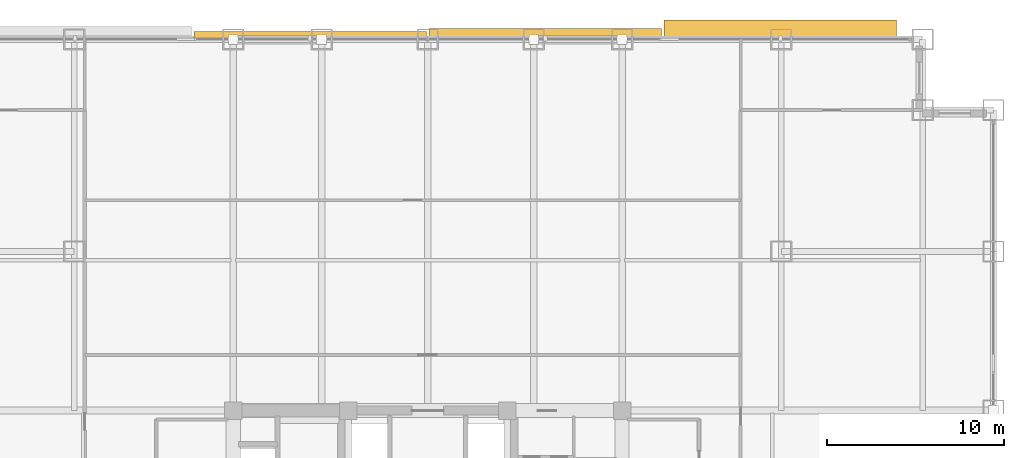
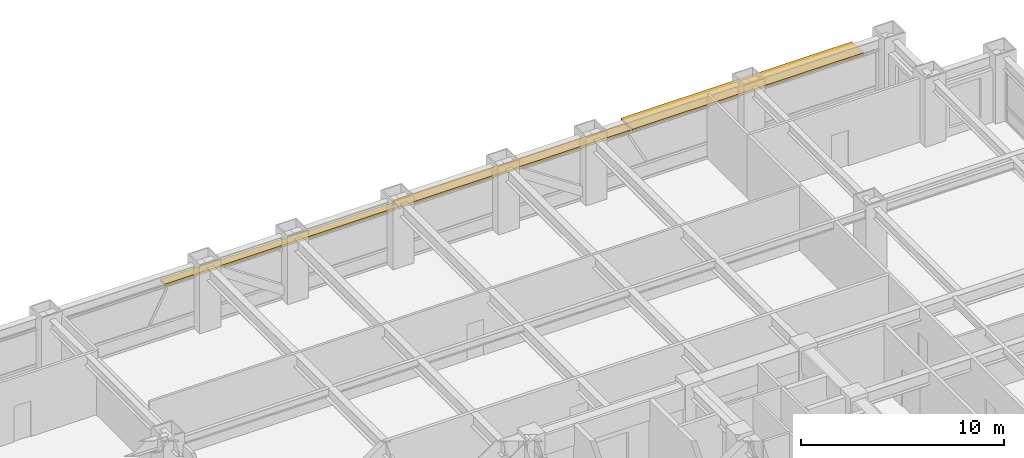
# One storey, part 32 of 32: 3 shading devices.
"""IFC4 building model written with IfcOpenShell, lengths in metres."""

import ifcopenshell
import ifcopenshell.guid

model = None  # the IFC model being written
_history = None  # IfcOwnerHistory: only IFC2X3 demands one
_inside = {}  # id of a spatial element -> (the spatial element, [elements in it])
_under = {}  # id of a project, library or spatial element -> (it, [spatial elements below it])
_declared = {}  # id of a project -> (the project, [libraries it declares])
_typed = {}  # id of a type object -> (the type object, [elements of that type])
_made_of = {}  # id of a material, layer set ... -> (it, [elements and type objects made of it])


def new_model(schema):
    """Start an empty IFC model of exactly this schema.

    Asked for "IFC4X3", IfcOpenShell would pick the latest addendum, in which some entities
    have other attributes; the version numbers below select the first issue.
    IFC2X3 requires an IfcOwnerHistory on every rooted entity: one is made here for all.
    """
    global model, _history
    if schema == "IFC4X3":
        model = ifcopenshell.file(schema_version=(4, 3, 0, 0))
    else:
        model = ifcopenshell.file(schema=schema)
    _inside.clear()
    _under.clear()
    _declared.clear()
    _typed.clear()
    _made_of.clear()
    _history = None
    if model.schema == "IFC2X3":
        org = make("IfcOrganization", Name="unknown")
        user = make(
            "IfcPersonAndOrganization",
            ThePerson=make("IfcPerson", FamilyName="unknown"),
            TheOrganization=org,
        )
        app = make(
            "IfcApplication",
            ApplicationDeveloper=org,
            Version="unknown",
            ApplicationFullName="unknown",
            ApplicationIdentifier="unknown",
        )
        _history = make(
            "IfcOwnerHistory",
            OwningUser=user,
            OwningApplication=app,
            ChangeAction="ADDED",
            CreationDate=0,
        )
    return model


def make(cls, **values):
    """One entity of the class cls with the attributes given. An attribute that is None is left unset."""
    return model.create_entity(
        cls, **{name: value for name, value in values.items() if value is not None}
    )


def rooted(cls, **values):
    """An entity with a GlobalId (a new one), such as an element, a storey or a relation."""
    return make(cls, GlobalId=ifcopenshell.guid.new(), OwnerHistory=_history, **values)


def si_unit(unit_type, name, prefix=None):
    """IfcSIUnit, for example si_unit("LENGTHUNIT", "METRE", prefix="MILLI")."""
    return make("IfcSIUnit", UnitType=unit_type, Prefix=prefix, Name=name)


def assignment(units):
    """IfcUnitAssignment: the units of a project."""
    return None if units is None else make("IfcUnitAssignment", Units=units)


def point(xyz):
    """IfcCartesianPoint."""
    return None if xyz is None else make("IfcCartesianPoint", Coordinates=xyz)


def direction(xyz):
    """IfcDirection."""
    return None if xyz is None else make("IfcDirection", DirectionRatios=xyz)


def frame(location, z_axis=None, x_axis=None):
    """IfcAxis2Placement3D, a coordinate frame: its origin and axes. An axis left out is left unset."""
    return make(
        "IfcAxis2Placement3D",
        Location=point(location),
        Axis=direction(z_axis),
        RefDirection=direction(x_axis),
    )


def frame_2d(location, x_axis=None):
    """IfcAxis2Placement2D, a coordinate frame in the plane: its origin and x axis."""
    return make(
        "IfcAxis2Placement2D", Location=point(location), RefDirection=direction(x_axis)
    )


def origin():
    """The frame at (0, 0, 0) with its axes left unset."""
    return frame((0.0, 0.0, 0.0))


def origin_2d():
    """The frame at (0, 0) in the plane with its x axis left unset."""
    return frame_2d((0.0, 0.0))


def place(relative_to, where):
    """IfcLocalPlacement: puts the frame where relative to a parent placement (None: the world)."""
    return make(
        "IfcLocalPlacement", PlacementRelTo=relative_to, RelativePlacement=where
    )


def context(
    kind, dimensions, precision=None, world=None, true_north=None, identifier=None
):
    """IfcGeometricRepresentationContext, for example the 3D "Model" context."""
    return make(
        "IfcGeometricRepresentationContext",
        ContextIdentifier=identifier,
        ContextType=kind,
        CoordinateSpaceDimension=dimensions,
        Precision=precision,
        WorldCoordinateSystem=world,
        TrueNorth=true_north,
    )


def subcontext(parent, identifier, kind, view, scale=None):
    """IfcGeometricRepresentationSubContext, for example "Body" below "Model"."""
    return make(
        "IfcGeometricRepresentationSubContext",
        ContextIdentifier=identifier,
        ContextType=kind,
        ParentContext=parent,
        TargetScale=scale,
        TargetView=view,
    )


def project(units=None, contexts=None):
    """IfcProject with its units and contexts."""
    return rooted(
        "IfcProject",
        Name="project",
        RepresentationContexts=contexts,
        UnitsInContext=assignment(units),
    )


def spatial(cls, under=None, at=None, **own):
    """A site, building, storey or space (cls), placed at a placement, below another one or the project."""
    s = rooted(cls, ObjectPlacement=at, **own)
    if under is not None:
        _under.setdefault(under.id(), (under, []))[1].append(s)
    return s


def profile(cls, at=None, kind="AREA", **sizes):
    """A parametric profile (cls). Its sizes go by their IFC names, for example OverallWidth=200.0."""
    return make(cls, ProfileType=kind, Position=at, **sizes)


def rectangle(**sizes):
    """IfcRectangleProfileDef."""
    return profile("IfcRectangleProfileDef", **sizes)


def extrude(swept, where, along, depth):
    """IfcExtrudedAreaSolid: the profile swept, set in the frame where, extruded along a direction by depth."""
    return make(
        "IfcExtrudedAreaSolid",
        SweptArea=swept,
        Position=where,
        ExtrudedDirection=direction(along),
        Depth=depth,
    )


def shape(context_of_items, identifier, shape_type, items):
    """IfcShapeRepresentation: the items that make up one representation, for example the "Body"."""
    return make(
        "IfcShapeRepresentation",
        ContextOfItems=context_of_items,
        RepresentationIdentifier=identifier,
        RepresentationType=shape_type,
        Items=items,
    )


def source(mapping_origin, context_of_items, identifier, shape_type, items):
    """IfcRepresentationMap: a shape defined once, which mapped items show again and again."""
    return make(
        "IfcRepresentationMap",
        MappingOrigin=mapping_origin,
        MappedRepresentation=shape(context_of_items, identifier, shape_type, items),
    )


def transform(
    local_origin,
    x_axis=None,
    y_axis=None,
    z_axis=None,
    scale=None,
    scale2=None,
    scale3=None,
    uniform=True,
):
    """IfcCartesianTransformationOperator3D, or its non-uniform kind. x_axis, y_axis, z_axis: its Axis1, 2, 3."""
    if uniform:
        return make(
            "IfcCartesianTransformationOperator3D",
            Axis1=direction(x_axis),
            Axis2=direction(y_axis),
            LocalOrigin=point(local_origin),
            Scale=scale,
            Axis3=direction(z_axis),
        )
    return make(
        "IfcCartesianTransformationOperator3DnonUniform",
        Axis1=direction(x_axis),
        Axis2=direction(y_axis),
        LocalOrigin=point(local_origin),
        Scale=scale,
        Axis3=direction(z_axis),
        Scale2=scale2,
        Scale3=scale3,
    )


def mapped(mapping_source, mapping_target):
    """IfcMappedItem: shows the shape of a source again, moved by a transform."""
    return make(
        "IfcMappedItem", MappingSource=mapping_source, MappingTarget=mapping_target
    )


def material(Name=None, Category=None):
    """IfcMaterial."""
    return make("IfcMaterial", Name=Name, Category=Category)


def layer(
    of_material, thickness, ventilated=None, Name=None, Category=None, Priority=None
):
    """IfcMaterialLayer: one layer of a wall or slab, of a material (None: an air gap)."""
    return make(
        "IfcMaterialLayer",
        Material=of_material,
        LayerThickness=thickness,
        IsVentilated=ventilated,
        Name=Name,
        Category=Category,
        Priority=Priority,
    )


def layer_set(layers, Name=None):
    """IfcMaterialLayerSet."""
    return make("IfcMaterialLayerSet", MaterialLayers=layers, LayerSetName=Name)


def made_of(thing, what):
    """Note that an element or type object is made of a material, layer set ...; save() writes the relation."""
    if what is not None:
        _made_of.setdefault(what.id(), (what, []))[1].append(thing)
    return thing


def type_object(cls, material=None, **own):
    """A type object (cls), such as IfcWallType, which elements share."""
    return made_of(rooted(cls, **own), material)


def element(
    cls,
    number,
    at=None,
    inside=None,
    cuts=None,
    type_object=None,
    material=None,
    context=None,
    identifier="Body",
    shape_type=None,
    held_by="IfcProductDefinitionShape",
    body=None,
    shapes=None,
    **own,
):
    """One element of the class cls, such as IfcWall. Its Tag is "e" and its number.

    at: its placement. inside: the storey or other place that contains it. cuts: it is an
    opening in that element (IfcRelVoidsElement). A single representation is given by context,
    identifier, shape_type and body (its items); several are given by shapes. held_by: the class
    of the entity that holds the representations. save() writes the other relations.
    """
    e = rooted(cls, Tag="e%d" % number, ObjectPlacement=at, **own)
    if body is not None:
        shapes = [shape(context, identifier, shape_type, body)]
    if shapes is not None:
        e.Representation = make(held_by, Representations=shapes)
    if inside is not None:
        _inside.setdefault(inside.id(), (inside, []))[1].append(e)
    if cuts is not None:
        rooted(
            "IfcRelVoidsElement", RelatingBuildingElement=cuts, RelatedOpeningElement=e
        )
    if type_object is not None:
        _typed.setdefault(type_object.id(), (type_object, []))[1].append(e)
    return made_of(e, material)


def aggregate(whole, parts):
    """IfcRelAggregates: a whole, such as a stair, and the parts it consists of."""
    return rooted("IfcRelAggregates", RelatingObject=whole, RelatedObjects=parts)


def save(model, path):
    """Write the relations noted so far, then the file.

    IfcRelAggregates (storeys below a building ...), IfcRelContainedInSpatialStructure (elements
    in a storey), IfcRelDefinesByType, IfcRelAssociatesMaterial and IfcRelDeclares: one each for
    every whole, place, type object, material and project.
    """
    for whole, parts in _under.values():
        aggregate(whole, parts)
    for where, things in _inside.values():
        rooted(
            "IfcRelContainedInSpatialStructure",
            RelatedElements=things,
            RelatingStructure=where,
        )
    for kind, things in _typed.values():
        rooted("IfcRelDefinesByType", RelatedObjects=things, RelatingType=kind)
    for what, things in _made_of.values():
        rooted("IfcRelAssociatesMaterial", RelatedObjects=things, RelatingMaterial=what)
    for by, libraries in _declared.values():
        rooted("IfcRelDeclares", RelatingContext=by, RelatedDefinitions=libraries)
    model.write(path)


model = new_model("IFC4")

# Units and contexts
model_context = context("Model", 3, precision=1e-05, world=origin(), true_north=direction((0.0, 1.0)))
body_context = subcontext(model_context, "Body", "Model", "MODEL_VIEW")
ifc_project = project(units=[si_unit("LENGTHUNIT", "METRE"), si_unit("AREAUNIT", "SQUARE_METRE"), si_unit("VOLUMEUNIT", "CUBIC_METRE"), si_unit("PLANEANGLEUNIT", "RADIAN"), si_unit("MASSUNIT", "GRAM", prefix="KILO")], contexts=[model_context])

# Site, building, storey
site_placement = place(None, origin())
site = spatial("IfcSite", under=ifc_project, at=site_placement, CompositionType="ELEMENT")
building_placement = place(site_placement, origin())
building = spatial("IfcBuilding", under=site, at=building_placement, Name="Khorayat Bourse Tower", CompositionType="ELEMENT")
storey_placement = place(building_placement, frame((0.0, 0.0, 91.39990234375)))
storey = spatial("IfcBuildingStorey", under=building, at=storey_placement, Name="L20", CompositionType="ELEMENT", Elevation=91.39990234375)

# Shading devices
ifc_material = material(Name="Precast concrete C45/55", Category="concrete")
ifc_layer = layer(ifc_material, 0.139892578125)
ifc_layer_set = layer_set([ifc_layer], Name="Precast concrete C45/55")
shading_device_type = type_object("IfcShadingDeviceType", Name="SHD-WAVE-TRAY-B", PredefinedType="USERDEFINED", material=ifc_layer_set)
shared_shape_1 = source(origin(), body_context, "Body", "SweptSolid", [
    extrude(rectangle(XDim=13.159912109375, YDim=0.45458984375, at=origin_2d()), origin(), (0.0, 0.0, 1.0), 0.139892578125),
])
shading_device_1_placement = place(storey_placement, frame((-6.64990234375, 32.207275390625, 3.09033203125), z_axis=(0.0, 0.0, 1.0), x_axis=(1.0, 0.0, 0.0)))
element("IfcShadingDevice", 1, at=shading_device_1_placement, inside=storey, type_object=shading_device_type, Name="L20 Sinusoidal Wave Sunshade Tray N-2", ObjectType="SUNSHADE", PredefinedType="USERDEFINED", context=body_context, shape_type="MappedRepresentation", body=[
    mapped(shared_shape_1, transform((0.0, 0.0, 0.0), scale=1.0)),
])
shared_shape_2 = source(origin(), body_context, "Body", "SweptSolid", [
    extrude(rectangle(XDim=13.159912109375, YDim=0.63818359375, at=origin_2d()), origin(), (0.0, 0.0, 1.0), 0.139892578125),
])
shading_device_2_placement = place(storey_placement, frame((6.64990234375, 32.299072265625, 3.09033203125), z_axis=(0.0, 0.0, 1.0), x_axis=(1.0, 0.0, 0.0)))
element("IfcShadingDevice", 2, at=shading_device_2_placement, inside=storey, type_object=shading_device_type, Name="L20 Sinusoidal Wave Sunshade Tray N-3", ObjectType="SUNSHADE", PredefinedType="USERDEFINED", context=body_context, shape_type="MappedRepresentation", body=[
    mapped(shared_shape_2, transform((0.0, 0.0, 0.0), scale=1.0)),
])
shared_shape_3 = source(origin(), body_context, "Body", "SweptSolid", [
    extrude(rectangle(XDim=13.159912109375, YDim=1.115478515625, at=origin_2d()), origin(), (0.0, 0.0, 1.0), 0.139892578125),
])
shading_device_3_placement = place(storey_placement, frame((19.949951171875, 32.53759765625, 3.09033203125), z_axis=(0.0, 0.0, 1.0), x_axis=(1.0, 0.0, 0.0)))
element("IfcShadingDevice", 3, at=shading_device_3_placement, inside=storey, type_object=shading_device_type, Name="L20 Sinusoidal Wave Sunshade Tray N-4", ObjectType="SUNSHADE", PredefinedType="USERDEFINED", context=body_context, shape_type="MappedRepresentation", body=[
    mapped(shared_shape_3, transform((0.0, 0.0, 0.0), scale=1.0)),
])

save(model, "model.ifc")
